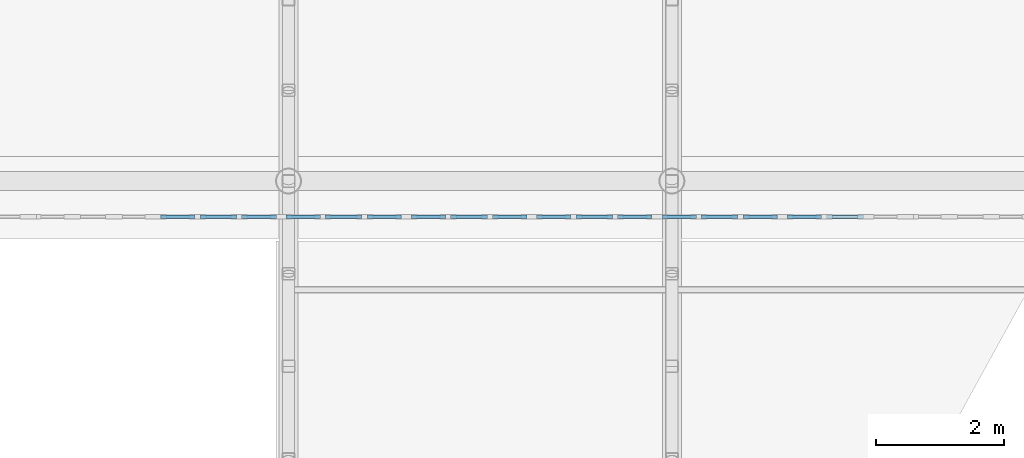
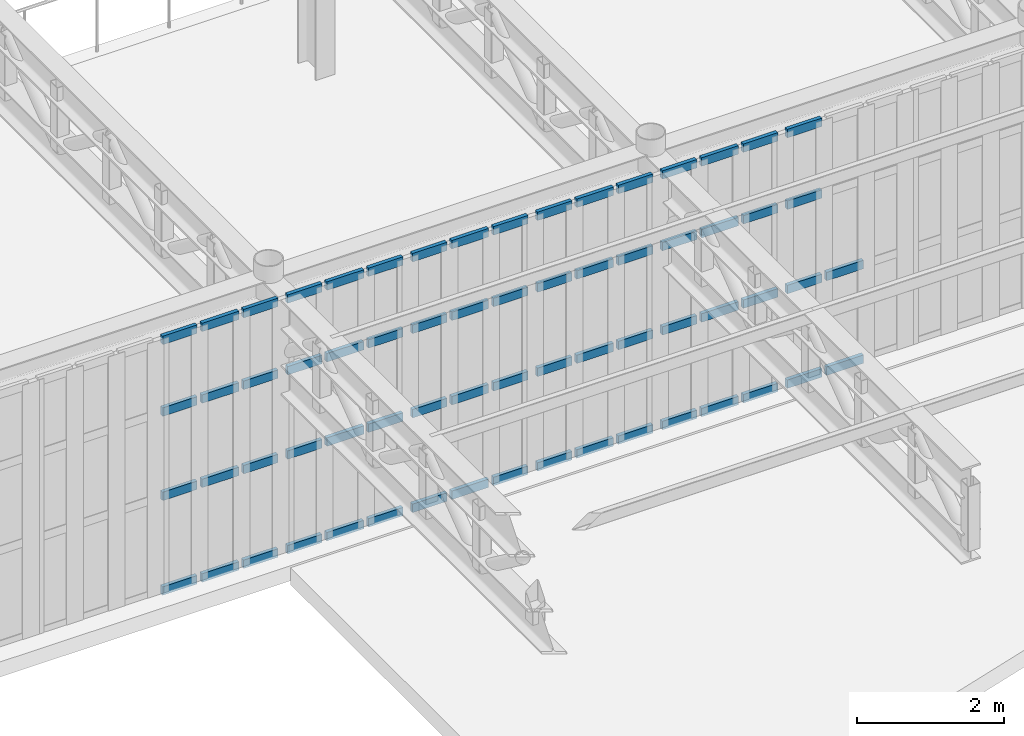
# One storey, part 37 of 91: 66 members, 6 elements without a shape of their own.
"""IFC4 building model written with IfcOpenShell, lengths in metres."""

from ifc_helpers import new_model, si_unit, direction, frame, origin, origin_2d, place, context, subcontext, project, spatial, rectangle, extrude, material, material_profile, profile_set, type_object, element, aggregate, save


model = new_model("IFC4")

# Units and contexts
model_context = context("Model", 3, precision=1e-05, world=origin(), true_north=direction((0.0, 1.0)))
body_context = subcontext(model_context, "Body", "Model", "MODEL_VIEW")
ifc_project = project(units=[si_unit("LENGTHUNIT", "METRE"), si_unit("AREAUNIT", "SQUARE_METRE"), si_unit("VOLUMEUNIT", "CUBIC_METRE"), si_unit("PLANEANGLEUNIT", "RADIAN"), si_unit("MASSUNIT", "GRAM", prefix="KILO")], contexts=[model_context])

# Site, building, storey
site_placement = place(None, origin())
site = spatial("IfcSite", under=ifc_project, at=site_placement, CompositionType="ELEMENT")
building_placement = place(site_placement, origin())
building = spatial("IfcBuilding", under=site, at=building_placement, Name="Kolvaren Corner Interchange", CompositionType="ELEMENT")
storey_placement = place(building_placement, frame((0.0, 0.0, 6.0)))
storey = spatial("IfcBuildingStorey", under=building, at=storey_placement, Name="L02", CompositionType="ELEMENT", Elevation=6.0)

# Curtain wall, members
ifc_material_1 = material(Name="Unitised Aluminium and Solar-Control Glass Curtain Wall", Category="aluminium")
curtain_wall_type = type_object("IfcCurtainWallType", Name="CW-V1-MEZZ", PredefinedType="NOTDEFINED", material=ifc_material_1)
curtain_wall_1_placement = place(storey_placement, origin())
curtain_wall_1 = element("IfcCurtainWall", 1, at=curtain_wall_1_placement, inside=storey, type_object=curtain_wall_type, Name="South Portal Mezzanine Curtain Wall Bay 12", PredefinedType="NOTDEFINED")
ifc_material_2 = material(Name="Anodised Aluminium Framing", Category="aluminium")
ifc_material_profile = material_profile(ifc_material_2, rectangle(XDim=0.06005859375, YDim=0.139892578125, at=origin_2d()), Name="ALU 60x140")
ifc_profile_set = profile_set([ifc_material_profile], Name="Anodised Aluminium Framing")
member_type = type_object("IfcMemberType", Name="TRN-ALU60x140", PredefinedType="USERDEFINED", material=ifc_profile_set)
member_1_placement = place(storey_placement, frame((93.997314453125, 24.340087890625, 0.030029296875), z_axis=(1.0, 0.0, 0.0), x_axis=(0.0, 1.0, 0.0)))
member_1 = element("IfcMember", 2, at=member_1_placement, type_object=member_type, Name="CW-030 transom 1.1", ObjectType="TRANSOM", PredefinedType="USERDEFINED", context=body_context, shape_type="SweptSolid", body=[
    extrude(rectangle(XDim=0.06005859375, YDim=0.139892578125, at=origin_2d()), origin(), (0.0, 0.0, 1.0), 0.541015625),
])
member_2_placement = place(storey_placement, frame((93.997314453125, 24.340087890625, 1.60009765625), z_axis=(1.0, 0.0, 0.0), x_axis=(0.0, 1.0, 0.0)))
member_2 = element("IfcMember", 3, at=member_2_placement, type_object=member_type, Name="CW-030 transom 1.2", ObjectType="TRANSOM", PredefinedType="USERDEFINED", context=body_context, shape_type="SweptSolid", body=[
    extrude(rectangle(XDim=0.06005859375, YDim=0.139892578125, at=origin_2d()), origin(), (0.0, 0.0, 1.0), 0.541015625),
])
member_3_placement = place(storey_placement, frame((93.997314453125, 24.340087890625, 3.0), z_axis=(1.0, 0.0, 0.0), x_axis=(0.0, 1.0, 0.0)))
member_3 = element("IfcMember", 4, at=member_3_placement, type_object=member_type, Name="CW-030 transom 1.3", ObjectType="TRANSOM", PredefinedType="USERDEFINED", context=body_context, shape_type="SweptSolid", body=[
    extrude(rectangle(XDim=0.06005859375, YDim=0.139892578125, at=origin_2d()), origin(), (0.0, 0.0, 1.0), 0.541015625),
])
member_4_placement = place(storey_placement, frame((93.997314453125, 24.340087890625, 4.18994140625), z_axis=(1.0, 0.0, 0.0), x_axis=(0.0, 1.0, 0.0)))
member_4 = element("IfcMember", 5, at=member_4_placement, type_object=member_type, Name="CW-030 transom 1.4", ObjectType="TRANSOM", PredefinedType="USERDEFINED", context=body_context, shape_type="SweptSolid", body=[
    extrude(rectangle(XDim=0.06005859375, YDim=0.139892578125, at=origin_2d()), origin(), (0.0, 0.0, 1.0), 0.541015625),
])
member_5_placement = place(storey_placement, frame((94.61328125, 24.340087890625, 0.030029296875), z_axis=(1.0, 0.0, 0.0), x_axis=(0.0, 1.0, 0.0)))
member_5 = element("IfcMember", 6, at=member_5_placement, type_object=member_type, Name="CW-030 transom 2.1", ObjectType="TRANSOM", PredefinedType="USERDEFINED", context=body_context, shape_type="SweptSolid", body=[
    extrude(rectangle(XDim=0.06005859375, YDim=0.139892578125, at=origin_2d()), origin(), (0.0, 0.0, 1.0), 0.578857421875),
])
member_6_placement = place(storey_placement, frame((94.61328125, 24.340087890625, 1.60009765625), z_axis=(1.0, 0.0, 0.0), x_axis=(0.0, 1.0, 0.0)))
member_6 = element("IfcMember", 7, at=member_6_placement, type_object=member_type, Name="CW-030 transom 2.2", ObjectType="TRANSOM", PredefinedType="USERDEFINED", context=body_context, shape_type="SweptSolid", body=[
    extrude(rectangle(XDim=0.06005859375, YDim=0.139892578125, at=origin_2d()), origin(), (0.0, 0.0, 1.0), 0.578857421875),
])
member_7_placement = place(storey_placement, frame((94.61328125, 24.340087890625, 3.0), z_axis=(1.0, 0.0, 0.0), x_axis=(0.0, 1.0, 0.0)))
member_7 = element("IfcMember", 8, at=member_7_placement, type_object=member_type, Name="CW-030 transom 2.3", ObjectType="TRANSOM", PredefinedType="USERDEFINED", context=body_context, shape_type="SweptSolid", body=[
    extrude(rectangle(XDim=0.06005859375, YDim=0.139892578125, at=origin_2d()), origin(), (0.0, 0.0, 1.0), 0.578857421875),
])
member_8_placement = place(storey_placement, frame((94.61328125, 24.340087890625, 4.18994140625), z_axis=(1.0, 0.0, 0.0), x_axis=(0.0, 1.0, 0.0)))
member_8 = element("IfcMember", 9, at=member_8_placement, type_object=member_type, Name="CW-030 transom 2.4", ObjectType="TRANSOM", PredefinedType="USERDEFINED", context=body_context, shape_type="SweptSolid", body=[
    extrude(rectangle(XDim=0.06005859375, YDim=0.139892578125, at=origin_2d()), origin(), (0.0, 0.0, 1.0), 0.578857421875),
])
member_9_placement = place(storey_placement, frame((95.26708984375, 24.340087890625, 0.030029296875), z_axis=(1.0, 0.0, 0.0), x_axis=(0.0, 1.0, 0.0)))
member_9 = element("IfcMember", 10, at=member_9_placement, type_object=member_type, Name="CW-030 transom 3.1", ObjectType="TRANSOM", PredefinedType="USERDEFINED", context=body_context, shape_type="SweptSolid", body=[
    extrude(rectangle(XDim=0.06005859375, YDim=0.139892578125, at=origin_2d()), origin(), (0.0, 0.0, 1.0), 0.541259765625),
])
member_10_placement = place(storey_placement, frame((95.26708984375, 24.340087890625, 1.60009765625), z_axis=(1.0, 0.0, 0.0), x_axis=(0.0, 1.0, 0.0)))
member_10 = element("IfcMember", 11, at=member_10_placement, type_object=member_type, Name="CW-030 transom 3.2", ObjectType="TRANSOM", PredefinedType="USERDEFINED", context=body_context, shape_type="SweptSolid", body=[
    extrude(rectangle(XDim=0.06005859375, YDim=0.139892578125, at=origin_2d()), origin(), (0.0, 0.0, 1.0), 0.541259765625),
])
member_11_placement = place(storey_placement, frame((95.26708984375, 24.340087890625, 3.0), z_axis=(1.0, 0.0, 0.0), x_axis=(0.0, 1.0, 0.0)))
member_11 = element("IfcMember", 12, at=member_11_placement, type_object=member_type, Name="CW-030 transom 3.3", ObjectType="TRANSOM", PredefinedType="USERDEFINED", context=body_context, shape_type="SweptSolid", body=[
    extrude(rectangle(XDim=0.06005859375, YDim=0.139892578125, at=origin_2d()), origin(), (0.0, 0.0, 1.0), 0.541259765625),
])
member_12_placement = place(storey_placement, frame((95.26708984375, 24.340087890625, 4.18994140625), z_axis=(1.0, 0.0, 0.0), x_axis=(0.0, 1.0, 0.0)))
member_12 = element("IfcMember", 13, at=member_12_placement, type_object=member_type, Name="CW-030 transom 3.4", ObjectType="TRANSOM", PredefinedType="USERDEFINED", context=body_context, shape_type="SweptSolid", body=[
    extrude(rectangle(XDim=0.06005859375, YDim=0.139892578125, at=origin_2d()), origin(), (0.0, 0.0, 1.0), 0.541259765625),
])
aggregate(curtain_wall_1, [member_1, member_2, member_3, member_4, member_5, member_6, member_7, member_8, member_9, member_10, member_11, member_12])

curtain_wall_2_placement = place(storey_placement, origin())
curtain_wall_2 = element("IfcCurtainWall", 14, at=curtain_wall_2_placement, inside=storey, type_object=curtain_wall_type, Name="South Portal Mezzanine Curtain Wall Bay 13", PredefinedType="NOTDEFINED")
member_13_placement = place(storey_placement, frame((95.958251953125, 24.340087890625, 0.030029296875), z_axis=(1.0, 0.0, 0.0), x_axis=(0.0, 1.0, 0.0)))
member_13 = element("IfcMember", 15, at=member_13_placement, type_object=member_type, Name="CW-031 transom 1.1", ObjectType="TRANSOM", PredefinedType="USERDEFINED", context=body_context, shape_type="SweptSolid", body=[
    extrude(rectangle(XDim=0.06005859375, YDim=0.139892578125, at=origin_2d()), origin(), (0.0, 0.0, 1.0), 0.541259765625),
])
member_14_placement = place(storey_placement, frame((95.958251953125, 24.340087890625, 1.60009765625), z_axis=(1.0, 0.0, 0.0), x_axis=(0.0, 1.0, 0.0)))
member_14 = element("IfcMember", 16, at=member_14_placement, type_object=member_type, Name="CW-031 transom 1.2", ObjectType="TRANSOM", PredefinedType="USERDEFINED", context=body_context, shape_type="SweptSolid", body=[
    extrude(rectangle(XDim=0.06005859375, YDim=0.139892578125, at=origin_2d()), origin(), (0.0, 0.0, 1.0), 0.541259765625),
])
member_15_placement = place(storey_placement, frame((95.958251953125, 24.340087890625, 3.0), z_axis=(1.0, 0.0, 0.0), x_axis=(0.0, 1.0, 0.0)))
member_15 = element("IfcMember", 17, at=member_15_placement, type_object=member_type, Name="CW-031 transom 1.3", ObjectType="TRANSOM", PredefinedType="USERDEFINED", context=body_context, shape_type="SweptSolid", body=[
    extrude(rectangle(XDim=0.06005859375, YDim=0.139892578125, at=origin_2d()), origin(), (0.0, 0.0, 1.0), 0.541259765625),
])
member_16_placement = place(storey_placement, frame((95.958251953125, 24.340087890625, 4.18994140625), z_axis=(1.0, 0.0, 0.0), x_axis=(0.0, 1.0, 0.0)))
member_16 = element("IfcMember", 18, at=member_16_placement, type_object=member_type, Name="CW-031 transom 1.4", ObjectType="TRANSOM", PredefinedType="USERDEFINED", context=body_context, shape_type="SweptSolid", body=[
    extrude(rectangle(XDim=0.06005859375, YDim=0.139892578125, at=origin_2d()), origin(), (0.0, 0.0, 1.0), 0.541259765625),
])
member_17_placement = place(storey_placement, frame((96.574462890625, 24.340087890625, 0.030029296875), z_axis=(1.0, 0.0, 0.0), x_axis=(0.0, 1.0, 0.0)))
member_17 = element("IfcMember", 19, at=member_17_placement, type_object=member_type, Name="CW-031 transom 2.1", ObjectType="TRANSOM", PredefinedType="USERDEFINED", context=body_context, shape_type="SweptSolid", body=[
    extrude(rectangle(XDim=0.06005859375, YDim=0.139892578125, at=origin_2d()), origin(), (0.0, 0.0, 1.0), 0.578857421875),
])
member_18_placement = place(storey_placement, frame((96.574462890625, 24.340087890625, 1.60009765625), z_axis=(1.0, 0.0, 0.0), x_axis=(0.0, 1.0, 0.0)))
member_18 = element("IfcMember", 20, at=member_18_placement, type_object=member_type, Name="CW-031 transom 2.2", ObjectType="TRANSOM", PredefinedType="USERDEFINED", context=body_context, shape_type="SweptSolid", body=[
    extrude(rectangle(XDim=0.06005859375, YDim=0.139892578125, at=origin_2d()), origin(), (0.0, 0.0, 1.0), 0.578857421875),
])
member_19_placement = place(storey_placement, frame((96.574462890625, 24.340087890625, 3.0), z_axis=(1.0, 0.0, 0.0), x_axis=(0.0, 1.0, 0.0)))
member_19 = element("IfcMember", 21, at=member_19_placement, type_object=member_type, Name="CW-031 transom 2.3", ObjectType="TRANSOM", PredefinedType="USERDEFINED", context=body_context, shape_type="SweptSolid", body=[
    extrude(rectangle(XDim=0.06005859375, YDim=0.139892578125, at=origin_2d()), origin(), (0.0, 0.0, 1.0), 0.578857421875),
])
member_20_placement = place(storey_placement, frame((96.574462890625, 24.340087890625, 4.18994140625), z_axis=(1.0, 0.0, 0.0), x_axis=(0.0, 1.0, 0.0)))
member_20 = element("IfcMember", 22, at=member_20_placement, type_object=member_type, Name="CW-031 transom 2.4", ObjectType="TRANSOM", PredefinedType="USERDEFINED", context=body_context, shape_type="SweptSolid", body=[
    extrude(rectangle(XDim=0.06005859375, YDim=0.139892578125, at=origin_2d()), origin(), (0.0, 0.0, 1.0), 0.578857421875),
])
member_21_placement = place(storey_placement, frame((97.228271484375, 24.340087890625, 0.030029296875), z_axis=(1.0, 0.0, 0.0), x_axis=(0.0, 1.0, 0.0)))
member_21 = element("IfcMember", 23, at=member_21_placement, type_object=member_type, Name="CW-031 transom 3.1", ObjectType="TRANSOM", PredefinedType="USERDEFINED", context=body_context, shape_type="SweptSolid", body=[
    extrude(rectangle(XDim=0.06005859375, YDim=0.139892578125, at=origin_2d()), origin(), (0.0, 0.0, 1.0), 0.541015625),
])
member_22_placement = place(storey_placement, frame((97.228271484375, 24.340087890625, 1.60009765625), z_axis=(1.0, 0.0, 0.0), x_axis=(0.0, 1.0, 0.0)))
member_22 = element("IfcMember", 24, at=member_22_placement, type_object=member_type, Name="CW-031 transom 3.2", ObjectType="TRANSOM", PredefinedType="USERDEFINED", context=body_context, shape_type="SweptSolid", body=[
    extrude(rectangle(XDim=0.06005859375, YDim=0.139892578125, at=origin_2d()), origin(), (0.0, 0.0, 1.0), 0.541015625),
])
member_23_placement = place(storey_placement, frame((97.228271484375, 24.340087890625, 3.0), z_axis=(1.0, 0.0, 0.0), x_axis=(0.0, 1.0, 0.0)))
member_23 = element("IfcMember", 25, at=member_23_placement, type_object=member_type, Name="CW-031 transom 3.3", ObjectType="TRANSOM", PredefinedType="USERDEFINED", context=body_context, shape_type="SweptSolid", body=[
    extrude(rectangle(XDim=0.06005859375, YDim=0.139892578125, at=origin_2d()), origin(), (0.0, 0.0, 1.0), 0.541015625),
])
member_24_placement = place(storey_placement, frame((97.228271484375, 24.340087890625, 4.18994140625), z_axis=(1.0, 0.0, 0.0), x_axis=(0.0, 1.0, 0.0)))
member_24 = element("IfcMember", 26, at=member_24_placement, type_object=member_type, Name="CW-031 transom 3.4", ObjectType="TRANSOM", PredefinedType="USERDEFINED", context=body_context, shape_type="SweptSolid", body=[
    extrude(rectangle(XDim=0.06005859375, YDim=0.139892578125, at=origin_2d()), origin(), (0.0, 0.0, 1.0), 0.541015625),
])
aggregate(curtain_wall_2, [member_13, member_14, member_15, member_16, member_17, member_18, member_19, member_20, member_21, member_22, member_23, member_24])

curtain_wall_3_placement = place(storey_placement, origin())
curtain_wall_3 = element("IfcCurtainWall", 27, at=curtain_wall_3_placement, inside=storey, type_object=curtain_wall_type, Name="South Portal Mezzanine Curtain Wall Bay 14", PredefinedType="NOTDEFINED")
member_25_placement = place(storey_placement, frame((97.91943359375, 24.340087890625, 0.030029296875), z_axis=(1.0, 0.0, 0.0), x_axis=(0.0, 1.0, 0.0)))
member_25 = element("IfcMember", 28, at=member_25_placement, type_object=member_type, Name="CW-032 transom 1.1", ObjectType="TRANSOM", PredefinedType="USERDEFINED", context=body_context, shape_type="SweptSolid", body=[
    extrude(rectangle(XDim=0.06005859375, YDim=0.139892578125, at=origin_2d()), origin(), (0.0, 0.0, 1.0), 0.541259765625),
])
member_26_placement = place(storey_placement, frame((97.91943359375, 24.340087890625, 1.60009765625), z_axis=(1.0, 0.0, 0.0), x_axis=(0.0, 1.0, 0.0)))
member_26 = element("IfcMember", 29, at=member_26_placement, type_object=member_type, Name="CW-032 transom 1.2", ObjectType="TRANSOM", PredefinedType="USERDEFINED", context=body_context, shape_type="SweptSolid", body=[
    extrude(rectangle(XDim=0.06005859375, YDim=0.139892578125, at=origin_2d()), origin(), (0.0, 0.0, 1.0), 0.541259765625),
])
member_27_placement = place(storey_placement, frame((97.91943359375, 24.340087890625, 3.0), z_axis=(1.0, 0.0, 0.0), x_axis=(0.0, 1.0, 0.0)))
member_27 = element("IfcMember", 30, at=member_27_placement, type_object=member_type, Name="CW-032 transom 1.3", ObjectType="TRANSOM", PredefinedType="USERDEFINED", context=body_context, shape_type="SweptSolid", body=[
    extrude(rectangle(XDim=0.06005859375, YDim=0.139892578125, at=origin_2d()), origin(), (0.0, 0.0, 1.0), 0.541259765625),
])
member_28_placement = place(storey_placement, frame((97.91943359375, 24.340087890625, 4.18994140625), z_axis=(1.0, 0.0, 0.0), x_axis=(0.0, 1.0, 0.0)))
member_28 = element("IfcMember", 31, at=member_28_placement, type_object=member_type, Name="CW-032 transom 1.4", ObjectType="TRANSOM", PredefinedType="USERDEFINED", context=body_context, shape_type="SweptSolid", body=[
    extrude(rectangle(XDim=0.06005859375, YDim=0.139892578125, at=origin_2d()), origin(), (0.0, 0.0, 1.0), 0.541259765625),
])
member_29_placement = place(storey_placement, frame((98.53564453125, 24.340087890625, 0.030029296875), z_axis=(1.0, 0.0, 0.0), x_axis=(0.0, 1.0, 0.0)))
member_29 = element("IfcMember", 32, at=member_29_placement, type_object=member_type, Name="CW-032 transom 2.1", ObjectType="TRANSOM", PredefinedType="USERDEFINED", context=body_context, shape_type="SweptSolid", body=[
    extrude(rectangle(XDim=0.06005859375, YDim=0.139892578125, at=origin_2d()), origin(), (0.0, 0.0, 1.0), 0.57861328125),
])
member_30_placement = place(storey_placement, frame((98.53564453125, 24.340087890625, 1.60009765625), z_axis=(1.0, 0.0, 0.0), x_axis=(0.0, 1.0, 0.0)))
member_30 = element("IfcMember", 33, at=member_30_placement, type_object=member_type, Name="CW-032 transom 2.2", ObjectType="TRANSOM", PredefinedType="USERDEFINED", context=body_context, shape_type="SweptSolid", body=[
    extrude(rectangle(XDim=0.06005859375, YDim=0.139892578125, at=origin_2d()), origin(), (0.0, 0.0, 1.0), 0.57861328125),
])
member_31_placement = place(storey_placement, frame((98.53564453125, 24.340087890625, 3.0), z_axis=(1.0, 0.0, 0.0), x_axis=(0.0, 1.0, 0.0)))
member_31 = element("IfcMember", 34, at=member_31_placement, type_object=member_type, Name="CW-032 transom 2.3", ObjectType="TRANSOM", PredefinedType="USERDEFINED", context=body_context, shape_type="SweptSolid", body=[
    extrude(rectangle(XDim=0.06005859375, YDim=0.139892578125, at=origin_2d()), origin(), (0.0, 0.0, 1.0), 0.57861328125),
])
member_32_placement = place(storey_placement, frame((98.53564453125, 24.340087890625, 4.18994140625), z_axis=(1.0, 0.0, 0.0), x_axis=(0.0, 1.0, 0.0)))
member_32 = element("IfcMember", 35, at=member_32_placement, type_object=member_type, Name="CW-032 transom 2.4", ObjectType="TRANSOM", PredefinedType="USERDEFINED", context=body_context, shape_type="SweptSolid", body=[
    extrude(rectangle(XDim=0.06005859375, YDim=0.139892578125, at=origin_2d()), origin(), (0.0, 0.0, 1.0), 0.57861328125),
])
member_33_placement = place(storey_placement, frame((99.189453125, 24.340087890625, 0.030029296875), z_axis=(1.0, 0.0, 0.0), x_axis=(0.0, 1.0, 0.0)))
member_33 = element("IfcMember", 36, at=member_33_placement, type_object=member_type, Name="CW-032 transom 3.1", ObjectType="TRANSOM", PredefinedType="USERDEFINED", context=body_context, shape_type="SweptSolid", body=[
    extrude(rectangle(XDim=0.06005859375, YDim=0.139892578125, at=origin_2d()), origin(), (0.0, 0.0, 1.0), 0.541259765625),
])
member_34_placement = place(storey_placement, frame((99.189453125, 24.340087890625, 1.60009765625), z_axis=(1.0, 0.0, 0.0), x_axis=(0.0, 1.0, 0.0)))
member_34 = element("IfcMember", 37, at=member_34_placement, type_object=member_type, Name="CW-032 transom 3.2", ObjectType="TRANSOM", PredefinedType="USERDEFINED", context=body_context, shape_type="SweptSolid", body=[
    extrude(rectangle(XDim=0.06005859375, YDim=0.139892578125, at=origin_2d()), origin(), (0.0, 0.0, 1.0), 0.541259765625),
])
member_35_placement = place(storey_placement, frame((99.189453125, 24.340087890625, 3.0), z_axis=(1.0, 0.0, 0.0), x_axis=(0.0, 1.0, 0.0)))
member_35 = element("IfcMember", 38, at=member_35_placement, type_object=member_type, Name="CW-032 transom 3.3", ObjectType="TRANSOM", PredefinedType="USERDEFINED", context=body_context, shape_type="SweptSolid", body=[
    extrude(rectangle(XDim=0.06005859375, YDim=0.139892578125, at=origin_2d()), origin(), (0.0, 0.0, 1.0), 0.541259765625),
])
member_36_placement = place(storey_placement, frame((99.189453125, 24.340087890625, 4.18994140625), z_axis=(1.0, 0.0, 0.0), x_axis=(0.0, 1.0, 0.0)))
member_36 = element("IfcMember", 39, at=member_36_placement, type_object=member_type, Name="CW-032 transom 3.4", ObjectType="TRANSOM", PredefinedType="USERDEFINED", context=body_context, shape_type="SweptSolid", body=[
    extrude(rectangle(XDim=0.06005859375, YDim=0.139892578125, at=origin_2d()), origin(), (0.0, 0.0, 1.0), 0.541259765625),
])
aggregate(curtain_wall_3, [member_25, member_26, member_27, member_28, member_29, member_30, member_31, member_32, member_33, member_34, member_35, member_36])

curtain_wall_4_placement = place(storey_placement, origin())
curtain_wall_4 = element("IfcCurtainWall", 40, at=curtain_wall_4_placement, inside=storey, type_object=curtain_wall_type, Name="South Portal Mezzanine Curtain Wall Bay 15", PredefinedType="NOTDEFINED")
member_37_placement = place(storey_placement, frame((99.880615234375, 24.340087890625, 0.030029296875), z_axis=(1.0, 0.0, 0.0), x_axis=(0.0, 1.0, 0.0)))
member_37 = element("IfcMember", 41, at=member_37_placement, type_object=member_type, Name="CW-033 transom 1.1", ObjectType="TRANSOM", PredefinedType="USERDEFINED", context=body_context, shape_type="SweptSolid", body=[
    extrude(rectangle(XDim=0.06005859375, YDim=0.139892578125, at=origin_2d()), origin(), (0.0, 0.0, 1.0), 0.541259765625),
])
member_38_placement = place(storey_placement, frame((99.880615234375, 24.340087890625, 1.60009765625), z_axis=(1.0, 0.0, 0.0), x_axis=(0.0, 1.0, 0.0)))
member_38 = element("IfcMember", 42, at=member_38_placement, type_object=member_type, Name="CW-033 transom 1.2", ObjectType="TRANSOM", PredefinedType="USERDEFINED", context=body_context, shape_type="SweptSolid", body=[
    extrude(rectangle(XDim=0.06005859375, YDim=0.139892578125, at=origin_2d()), origin(), (0.0, 0.0, 1.0), 0.541259765625),
])
member_39_placement = place(storey_placement, frame((99.880615234375, 24.340087890625, 3.0), z_axis=(1.0, 0.0, 0.0), x_axis=(0.0, 1.0, 0.0)))
member_39 = element("IfcMember", 43, at=member_39_placement, type_object=member_type, Name="CW-033 transom 1.3", ObjectType="TRANSOM", PredefinedType="USERDEFINED", context=body_context, shape_type="SweptSolid", body=[
    extrude(rectangle(XDim=0.06005859375, YDim=0.139892578125, at=origin_2d()), origin(), (0.0, 0.0, 1.0), 0.541259765625),
])
member_40_placement = place(storey_placement, frame((99.880615234375, 24.340087890625, 4.18994140625), z_axis=(1.0, 0.0, 0.0), x_axis=(0.0, 1.0, 0.0)))
member_40 = element("IfcMember", 44, at=member_40_placement, type_object=member_type, Name="CW-033 transom 1.4", ObjectType="TRANSOM", PredefinedType="USERDEFINED", context=body_context, shape_type="SweptSolid", body=[
    extrude(rectangle(XDim=0.06005859375, YDim=0.139892578125, at=origin_2d()), origin(), (0.0, 0.0, 1.0), 0.541259765625),
])
member_41_placement = place(storey_placement, frame((100.496826171875, 24.340087890625, 0.030029296875), z_axis=(1.0, 0.0, 0.0), x_axis=(0.0, 1.0, 0.0)))
member_41 = element("IfcMember", 45, at=member_41_placement, type_object=member_type, Name="CW-033 transom 2.1", ObjectType="TRANSOM", PredefinedType="USERDEFINED", context=body_context, shape_type="SweptSolid", body=[
    extrude(rectangle(XDim=0.06005859375, YDim=0.139892578125, at=origin_2d()), origin(), (0.0, 0.0, 1.0), 0.57861328125),
])
member_42_placement = place(storey_placement, frame((100.496826171875, 24.340087890625, 1.60009765625), z_axis=(1.0, 0.0, 0.0), x_axis=(0.0, 1.0, 0.0)))
member_42 = element("IfcMember", 46, at=member_42_placement, type_object=member_type, Name="CW-033 transom 2.2", ObjectType="TRANSOM", PredefinedType="USERDEFINED", context=body_context, shape_type="SweptSolid", body=[
    extrude(rectangle(XDim=0.06005859375, YDim=0.139892578125, at=origin_2d()), origin(), (0.0, 0.0, 1.0), 0.57861328125),
])
member_43_placement = place(storey_placement, frame((100.496826171875, 24.340087890625, 3.0), z_axis=(1.0, 0.0, 0.0), x_axis=(0.0, 1.0, 0.0)))
member_43 = element("IfcMember", 47, at=member_43_placement, type_object=member_type, Name="CW-033 transom 2.3", ObjectType="TRANSOM", PredefinedType="USERDEFINED", context=body_context, shape_type="SweptSolid", body=[
    extrude(rectangle(XDim=0.06005859375, YDim=0.139892578125, at=origin_2d()), origin(), (0.0, 0.0, 1.0), 0.57861328125),
])
member_44_placement = place(storey_placement, frame((100.496826171875, 24.340087890625, 4.18994140625), z_axis=(1.0, 0.0, 0.0), x_axis=(0.0, 1.0, 0.0)))
member_44 = element("IfcMember", 48, at=member_44_placement, type_object=member_type, Name="CW-033 transom 2.4", ObjectType="TRANSOM", PredefinedType="USERDEFINED", context=body_context, shape_type="SweptSolid", body=[
    extrude(rectangle(XDim=0.06005859375, YDim=0.139892578125, at=origin_2d()), origin(), (0.0, 0.0, 1.0), 0.57861328125),
])
member_45_placement = place(storey_placement, frame((101.150390625, 24.340087890625, 0.030029296875), z_axis=(1.0, 0.0, 0.0), x_axis=(0.0, 1.0, 0.0)))
member_45 = element("IfcMember", 49, at=member_45_placement, type_object=member_type, Name="CW-033 transom 3.1", ObjectType="TRANSOM", PredefinedType="USERDEFINED", context=body_context, shape_type="SweptSolid", body=[
    extrude(rectangle(XDim=0.06005859375, YDim=0.139892578125, at=origin_2d()), origin(), (0.0, 0.0, 1.0), 0.541259765625),
])
member_46_placement = place(storey_placement, frame((101.150390625, 24.340087890625, 1.60009765625), z_axis=(1.0, 0.0, 0.0), x_axis=(0.0, 1.0, 0.0)))
member_46 = element("IfcMember", 50, at=member_46_placement, type_object=member_type, Name="CW-033 transom 3.2", ObjectType="TRANSOM", PredefinedType="USERDEFINED", context=body_context, shape_type="SweptSolid", body=[
    extrude(rectangle(XDim=0.06005859375, YDim=0.139892578125, at=origin_2d()), origin(), (0.0, 0.0, 1.0), 0.541259765625),
])
member_47_placement = place(storey_placement, frame((101.150390625, 24.340087890625, 3.0), z_axis=(1.0, 0.0, 0.0), x_axis=(0.0, 1.0, 0.0)))
member_47 = element("IfcMember", 51, at=member_47_placement, type_object=member_type, Name="CW-033 transom 3.3", ObjectType="TRANSOM", PredefinedType="USERDEFINED", context=body_context, shape_type="SweptSolid", body=[
    extrude(rectangle(XDim=0.06005859375, YDim=0.139892578125, at=origin_2d()), origin(), (0.0, 0.0, 1.0), 0.541259765625),
])
member_48_placement = place(storey_placement, frame((101.150390625, 24.340087890625, 4.18994140625), z_axis=(1.0, 0.0, 0.0), x_axis=(0.0, 1.0, 0.0)))
member_48 = element("IfcMember", 52, at=member_48_placement, type_object=member_type, Name="CW-033 transom 3.4", ObjectType="TRANSOM", PredefinedType="USERDEFINED", context=body_context, shape_type="SweptSolid", body=[
    extrude(rectangle(XDim=0.06005859375, YDim=0.139892578125, at=origin_2d()), origin(), (0.0, 0.0, 1.0), 0.541259765625),
])
aggregate(curtain_wall_4, [member_37, member_38, member_39, member_40, member_41, member_42, member_43, member_44, member_45, member_46, member_47, member_48])

curtain_wall_5_placement = place(storey_placement, origin())
curtain_wall_5 = element("IfcCurtainWall", 53, at=curtain_wall_5_placement, inside=storey, type_object=curtain_wall_type, Name="South Portal Mezzanine Curtain Wall Bay 16", PredefinedType="NOTDEFINED")
member_49_placement = place(storey_placement, frame((101.841796875, 24.340087890625, 0.030029296875), z_axis=(1.0, 0.0, 0.0), x_axis=(0.0, 1.0, 0.0)))
member_49 = element("IfcMember", 54, at=member_49_placement, type_object=member_type, Name="CW-034 transom 1.1", ObjectType="TRANSOM", PredefinedType="USERDEFINED", context=body_context, shape_type="SweptSolid", body=[
    extrude(rectangle(XDim=0.06005859375, YDim=0.139892578125, at=origin_2d()), origin(), (0.0, 0.0, 1.0), 0.541015625),
])
member_50_placement = place(storey_placement, frame((101.841796875, 24.340087890625, 1.60009765625), z_axis=(1.0, 0.0, 0.0), x_axis=(0.0, 1.0, 0.0)))
member_50 = element("IfcMember", 55, at=member_50_placement, type_object=member_type, Name="CW-034 transom 1.2", ObjectType="TRANSOM", PredefinedType="USERDEFINED", context=body_context, shape_type="SweptSolid", body=[
    extrude(rectangle(XDim=0.06005859375, YDim=0.139892578125, at=origin_2d()), origin(), (0.0, 0.0, 1.0), 0.541015625),
])
member_51_placement = place(storey_placement, frame((101.841796875, 24.340087890625, 3.0), z_axis=(1.0, 0.0, 0.0), x_axis=(0.0, 1.0, 0.0)))
member_51 = element("IfcMember", 56, at=member_51_placement, type_object=member_type, Name="CW-034 transom 1.3", ObjectType="TRANSOM", PredefinedType="USERDEFINED", context=body_context, shape_type="SweptSolid", body=[
    extrude(rectangle(XDim=0.06005859375, YDim=0.139892578125, at=origin_2d()), origin(), (0.0, 0.0, 1.0), 0.541015625),
])
member_52_placement = place(storey_placement, frame((101.841796875, 24.340087890625, 4.18994140625), z_axis=(1.0, 0.0, 0.0), x_axis=(0.0, 1.0, 0.0)))
member_52 = element("IfcMember", 57, at=member_52_placement, type_object=member_type, Name="CW-034 transom 1.4", ObjectType="TRANSOM", PredefinedType="USERDEFINED", context=body_context, shape_type="SweptSolid", body=[
    extrude(rectangle(XDim=0.06005859375, YDim=0.139892578125, at=origin_2d()), origin(), (0.0, 0.0, 1.0), 0.541015625),
])
member_53_placement = place(storey_placement, frame((102.4580078125, 24.340087890625, 0.030029296875), z_axis=(1.0, 0.0, 0.0), x_axis=(0.0, 1.0, 0.0)))
member_53 = element("IfcMember", 58, at=member_53_placement, type_object=member_type, Name="CW-034 transom 2.1", ObjectType="TRANSOM", PredefinedType="USERDEFINED", context=body_context, shape_type="SweptSolid", body=[
    extrude(rectangle(XDim=0.06005859375, YDim=0.139892578125, at=origin_2d()), origin(), (0.0, 0.0, 1.0), 0.57861328125),
])
member_54_placement = place(storey_placement, frame((102.4580078125, 24.340087890625, 1.60009765625), z_axis=(1.0, 0.0, 0.0), x_axis=(0.0, 1.0, 0.0)))
member_54 = element("IfcMember", 59, at=member_54_placement, type_object=member_type, Name="CW-034 transom 2.2", ObjectType="TRANSOM", PredefinedType="USERDEFINED", context=body_context, shape_type="SweptSolid", body=[
    extrude(rectangle(XDim=0.06005859375, YDim=0.139892578125, at=origin_2d()), origin(), (0.0, 0.0, 1.0), 0.57861328125),
])
member_55_placement = place(storey_placement, frame((102.4580078125, 24.340087890625, 3.0), z_axis=(1.0, 0.0, 0.0), x_axis=(0.0, 1.0, 0.0)))
member_55 = element("IfcMember", 60, at=member_55_placement, type_object=member_type, Name="CW-034 transom 2.3", ObjectType="TRANSOM", PredefinedType="USERDEFINED", context=body_context, shape_type="SweptSolid", body=[
    extrude(rectangle(XDim=0.06005859375, YDim=0.139892578125, at=origin_2d()), origin(), (0.0, 0.0, 1.0), 0.57861328125),
])
member_56_placement = place(storey_placement, frame((102.4580078125, 24.340087890625, 4.18994140625), z_axis=(1.0, 0.0, 0.0), x_axis=(0.0, 1.0, 0.0)))
member_56 = element("IfcMember", 61, at=member_56_placement, type_object=member_type, Name="CW-034 transom 2.4", ObjectType="TRANSOM", PredefinedType="USERDEFINED", context=body_context, shape_type="SweptSolid", body=[
    extrude(rectangle(XDim=0.06005859375, YDim=0.139892578125, at=origin_2d()), origin(), (0.0, 0.0, 1.0), 0.57861328125),
])
member_57_placement = place(storey_placement, frame((103.111572265625, 24.340087890625, 0.030029296875), z_axis=(1.0, 0.0, 0.0), x_axis=(0.0, 1.0, 0.0)))
member_57 = element("IfcMember", 62, at=member_57_placement, type_object=member_type, Name="CW-034 transom 3.1", ObjectType="TRANSOM", PredefinedType="USERDEFINED", context=body_context, shape_type="SweptSolid", body=[
    extrude(rectangle(XDim=0.06005859375, YDim=0.139892578125, at=origin_2d()), origin(), (0.0, 0.0, 1.0), 0.541259765625),
])
member_58_placement = place(storey_placement, frame((103.111572265625, 24.340087890625, 1.60009765625), z_axis=(1.0, 0.0, 0.0), x_axis=(0.0, 1.0, 0.0)))
member_58 = element("IfcMember", 63, at=member_58_placement, type_object=member_type, Name="CW-034 transom 3.2", ObjectType="TRANSOM", PredefinedType="USERDEFINED", context=body_context, shape_type="SweptSolid", body=[
    extrude(rectangle(XDim=0.06005859375, YDim=0.139892578125, at=origin_2d()), origin(), (0.0, 0.0, 1.0), 0.541259765625),
])
member_59_placement = place(storey_placement, frame((103.111572265625, 24.340087890625, 3.0), z_axis=(1.0, 0.0, 0.0), x_axis=(0.0, 1.0, 0.0)))
member_59 = element("IfcMember", 64, at=member_59_placement, type_object=member_type, Name="CW-034 transom 3.3", ObjectType="TRANSOM", PredefinedType="USERDEFINED", context=body_context, shape_type="SweptSolid", body=[
    extrude(rectangle(XDim=0.06005859375, YDim=0.139892578125, at=origin_2d()), origin(), (0.0, 0.0, 1.0), 0.541259765625),
])
member_60_placement = place(storey_placement, frame((103.111572265625, 24.340087890625, 4.18994140625), z_axis=(1.0, 0.0, 0.0), x_axis=(0.0, 1.0, 0.0)))
member_60 = element("IfcMember", 65, at=member_60_placement, type_object=member_type, Name="CW-034 transom 3.4", ObjectType="TRANSOM", PredefinedType="USERDEFINED", context=body_context, shape_type="SweptSolid", body=[
    extrude(rectangle(XDim=0.06005859375, YDim=0.139892578125, at=origin_2d()), origin(), (0.0, 0.0, 1.0), 0.541259765625),
])
aggregate(curtain_wall_5, [member_49, member_50, member_51, member_52, member_53, member_54, member_55, member_56, member_57, member_58, member_59, member_60])

curtain_wall_6_placement = place(storey_placement, origin())
curtain_wall_6 = element("IfcCurtainWall", 66, at=curtain_wall_6_placement, inside=storey, type_object=curtain_wall_type, Name="South Portal Mezzanine Curtain Wall Bay 17", PredefinedType="NOTDEFINED")
member_61_placement = place(storey_placement, frame((103.802734375, 24.340087890625, 0.030029296875), z_axis=(1.0, 0.0, 0.0), x_axis=(0.0, 1.0, 0.0)))
member_61 = element("IfcMember", 67, at=member_61_placement, type_object=member_type, Name="CW-035 transom 1.1", ObjectType="TRANSOM", PredefinedType="USERDEFINED", context=body_context, shape_type="SweptSolid", body=[
    extrude(rectangle(XDim=0.06005859375, YDim=0.139892578125, at=origin_2d()), origin(), (0.0, 0.0, 1.0), 0.541259765625),
])
member_62_placement = place(storey_placement, frame((103.802734375, 24.340087890625, 1.60009765625), z_axis=(1.0, 0.0, 0.0), x_axis=(0.0, 1.0, 0.0)))
member_62 = element("IfcMember", 68, at=member_62_placement, type_object=member_type, Name="CW-035 transom 1.2", ObjectType="TRANSOM", PredefinedType="USERDEFINED", context=body_context, shape_type="SweptSolid", body=[
    extrude(rectangle(XDim=0.06005859375, YDim=0.139892578125, at=origin_2d()), origin(), (0.0, 0.0, 1.0), 0.541259765625),
])
member_63_placement = place(storey_placement, frame((103.802734375, 24.340087890625, 3.0), z_axis=(1.0, 0.0, 0.0), x_axis=(0.0, 1.0, 0.0)))
member_63 = element("IfcMember", 69, at=member_63_placement, type_object=member_type, Name="CW-035 transom 1.3", ObjectType="TRANSOM", PredefinedType="USERDEFINED", context=body_context, shape_type="SweptSolid", body=[
    extrude(rectangle(XDim=0.06005859375, YDim=0.139892578125, at=origin_2d()), origin(), (0.0, 0.0, 1.0), 0.541259765625),
])
member_64_placement = place(storey_placement, frame((103.802734375, 24.340087890625, 4.18994140625), z_axis=(1.0, 0.0, 0.0), x_axis=(0.0, 1.0, 0.0)))
member_64 = element("IfcMember", 70, at=member_64_placement, type_object=member_type, Name="CW-035 transom 1.4", ObjectType="TRANSOM", PredefinedType="USERDEFINED", context=body_context, shape_type="SweptSolid", body=[
    extrude(rectangle(XDim=0.06005859375, YDim=0.139892578125, at=origin_2d()), origin(), (0.0, 0.0, 1.0), 0.541259765625),
])
member_65_placement = place(storey_placement, frame((104.4189453125, 24.340087890625, 0.030029296875), z_axis=(1.0, 0.0, 0.0), x_axis=(0.0, 1.0, 0.0)))
member_65 = element("IfcMember", 71, at=member_65_placement, type_object=member_type, Name="CW-035 transom 2.1", ObjectType="TRANSOM", PredefinedType="USERDEFINED", context=body_context, shape_type="SweptSolid", body=[
    extrude(rectangle(XDim=0.06005859375, YDim=0.139892578125, at=origin_2d()), origin(), (0.0, 0.0, 1.0), 0.578857421875),
])
member_66_placement = place(storey_placement, frame((104.4189453125, 24.340087890625, 1.60009765625), z_axis=(1.0, 0.0, 0.0), x_axis=(0.0, 1.0, 0.0)))
member_66 = element("IfcMember", 72, at=member_66_placement, type_object=member_type, Name="CW-035 transom 2.2", ObjectType="TRANSOM", PredefinedType="USERDEFINED", context=body_context, shape_type="SweptSolid", body=[
    extrude(rectangle(XDim=0.06005859375, YDim=0.139892578125, at=origin_2d()), origin(), (0.0, 0.0, 1.0), 0.578857421875),
])
aggregate(curtain_wall_6, [member_61, member_62, member_63, member_64, member_65, member_66])

save(model, "model.ifc")
